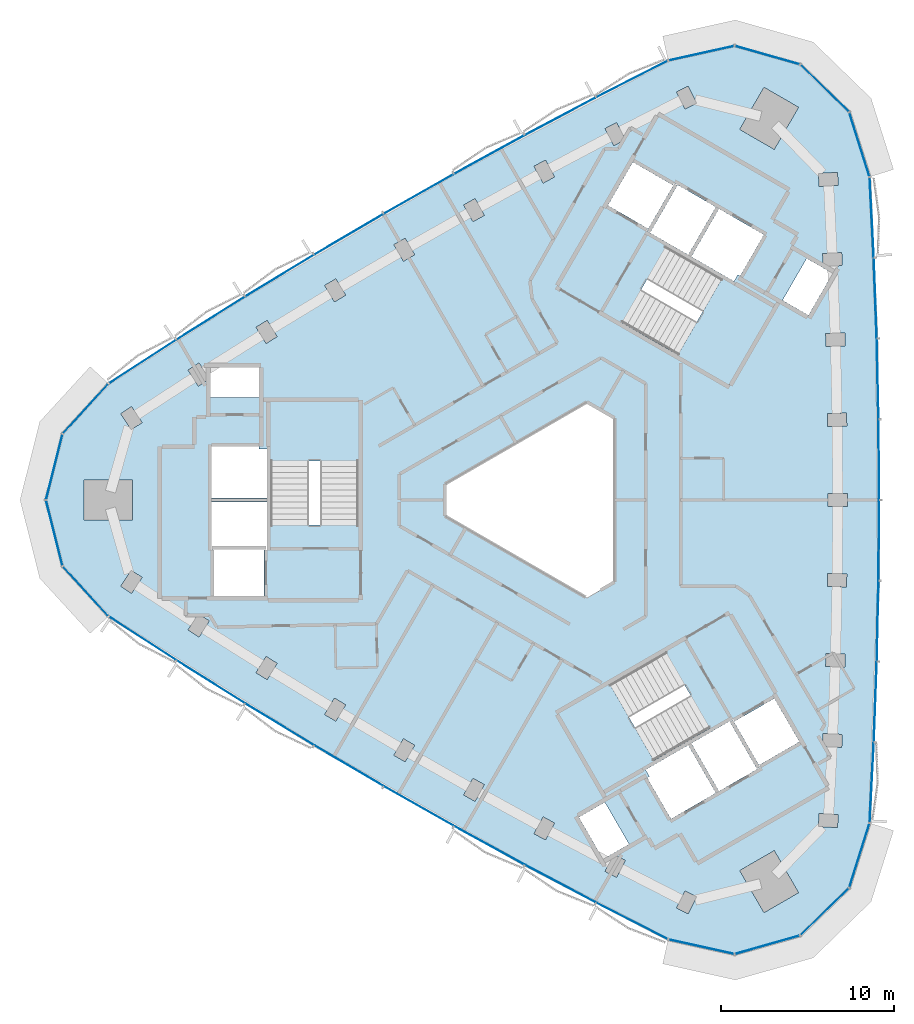
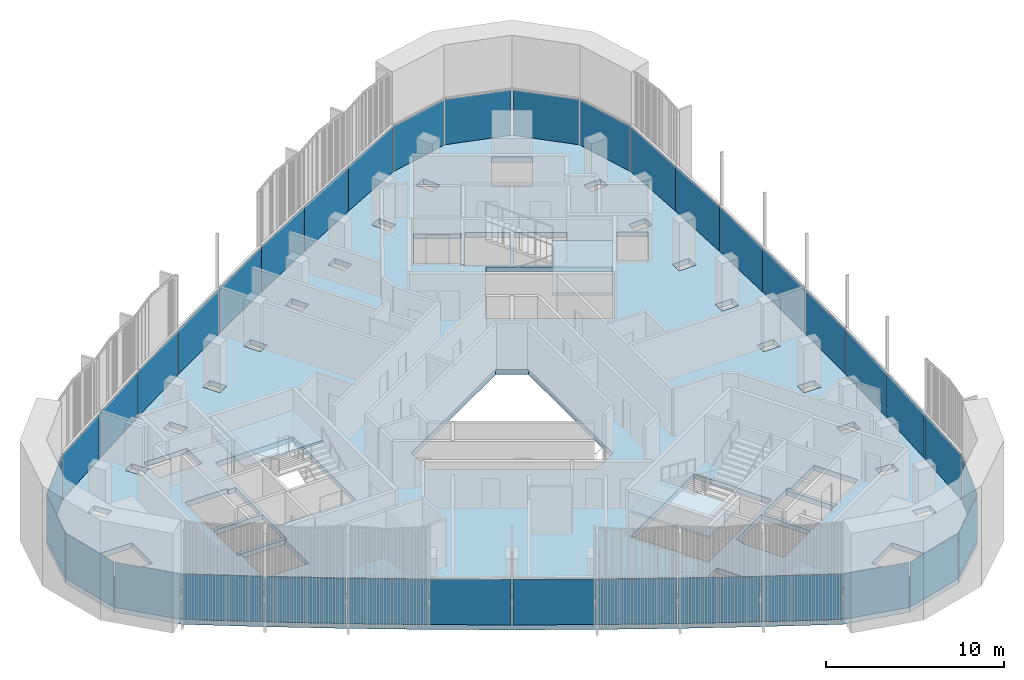
# One storey, part 7 of 16: 36 plates, 4 slabs, 6 elements without a shape of their own.
"""IFC4 building model written with IfcOpenShell, lengths in metres."""

from ifc_helpers import new_model, si_unit, direction, frame, origin, origin_2d, place, context, subcontext, project, spatial, polyline, rectangle, outline, extrude, material, layer, layer_set, type_object, element, aggregate, save


model = new_model("IFC4")

# Units and contexts
model_context = context("Model", 3, precision=1e-05, world=origin(), true_north=direction((0.0, 1.0)))
body_context = subcontext(model_context, "Body", "Model", "MODEL_VIEW")
ifc_project = project(units=[si_unit("LENGTHUNIT", "METRE"), si_unit("AREAUNIT", "SQUARE_METRE"), si_unit("VOLUMEUNIT", "CUBIC_METRE"), si_unit("PLANEANGLEUNIT", "RADIAN"), si_unit("MASSUNIT", "GRAM", prefix="KILO")], contexts=[model_context])

# Site, building, storey
site_placement = place(None, origin())
site = spatial("IfcSite", under=ifc_project, at=site_placement, CompositionType="ELEMENT")
building_placement = place(site_placement, origin())
building = spatial("IfcBuilding", under=site, at=building_placement, Name="Tamra Quay Hotel Tower", CompositionType="ELEMENT")
storey_placement = place(building_placement, frame((0.0, 0.0, 232.199951171875)))
storey = spatial("IfcBuildingStorey", under=building, at=storey_placement, Name="L58", CompositionType="ELEMENT", Elevation=232.199951171875)

# Stair, slab
ifc_material_1 = material(Name="Exit stair 2200 24 risers 150.0 going 342")
stair_type = type_object("IfcStairType", Name="Exit stair 2200 24 risers 150.0 going 342", PredefinedType="HALF_TURN_STAIR", material=ifc_material_1)
stair_1_placement = place(storey_placement, origin())
stair_1 = element("IfcStair", 1, at=stair_1_placement, inside=storey, type_object=stair_type, Name="L58 Exit stair ST3", PredefinedType="HALF_TURN_STAIR")
ifc_material_2 = material(Name="Concrete M70", Category="concrete")
ifc_layer_1 = layer(ifc_material_2, 0.175048828125)
ifc_layer_set_1 = layer_set([ifc_layer_1], Name="Concrete M70 stair landing 180")
slab_type_1 = type_object("IfcSlabType", Name="Concrete M70 stair landing 180", PredefinedType="LANDING", material=ifc_layer_set_1)
slab_1_placement = place(storey_placement, frame((0.0, 0.0, 1.625)))
slab_1 = element("IfcSlab", 2, at=slab_1_placement, type_object=slab_type_1, Name="ST3 landing 1", PredefinedType="LANDING", context=body_context, shape_type="SweptSolid", body=[
    extrude(outline(polyline([(-10.932373046875, 2.261962890625), (-10.932373046875, 5.679931640625), (-16.09130859375, 5.679931640625), (-16.09130859375, 2.261962890625), (-10.932373046875, 2.261962890625)])), origin(), (0.0, 0.0, 1.0), 0.175048828125),
])
aggregate(stair_1, [slab_1])

stair_2_placement = place(storey_placement, origin())
stair_2 = element("IfcStair", 3, at=stair_2_placement, inside=storey, type_object=stair_type, Name="L58 Exit stair ST1", PredefinedType="HALF_TURN_STAIR")
slab_2_placement = place(storey_placement, frame((0.0, 0.0, 1.625)))
slab_2 = element("IfcSlab", 4, at=slab_2_placement, type_object=slab_type_1, Name="ST1 landing 1", PredefinedType="LANDING", context=body_context, shape_type="SweptSolid", body=[
    extrude(outline(polyline([(7.425048828125, 8.336669921875), (10.385009765625, 6.627685546875), (12.964599609375, 11.095458984375), (10.00439453125, 12.804443359375), (7.425048828125, 8.336669921875)])), origin(), (0.0, 0.0, 1.0), 0.175048828125),
])
aggregate(stair_2, [slab_2])

stair_3_placement = place(storey_placement, origin())
stair_3 = element("IfcStair", 5, at=stair_3_placement, inside=storey, type_object=stair_type, Name="L58 Exit stair ST2", PredefinedType="HALF_TURN_STAIR")
slab_3_placement = place(storey_placement, frame((0.0, 0.0, 1.625)))
slab_3 = element("IfcSlab", 6, at=slab_3_placement, type_object=slab_type_1, Name="ST2 landing 1", PredefinedType="LANDING", context=body_context, shape_type="SweptSolid", body=[
    extrude(outline(polyline([(3.50732421875, -10.5986328125), (0.547119140625, -12.3076171875), (3.126708984375, -16.775390625), (6.086669921875, -15.06640625), (3.50732421875, -10.5986328125)])), origin(), (0.0, 0.0, 1.0), 0.175048828125),
])
aggregate(stair_3, [slab_3])

# Slab
ifc_material_3 = material(Name="Concrete M60", Category="concrete")
ifc_layer_2 = layer(ifc_material_3, 0.35009765625)
ifc_layer_set_2 = layer_set([ifc_layer_2], Name="FLOOR SLAB PT 350")
slab_type_2 = type_object("IfcSlabType", Name="FLOOR SLAB PT 350", PredefinedType="FLOOR", material=ifc_layer_set_2)
slab_4_placement = place(storey_placement, frame((0.0, 0.0, -0.349853515625)))
element("IfcSlab", 7, at=slab_4_placement, inside=storey, type_object=slab_type_2, Name="SLAB-L58", PredefinedType="FLOOR", context=body_context, shape_type="SweptSolid", body=[
    extrude(outline(polyline([(18.746826171875, 13.9765625), (18.918212890625, 9.31884765625), (19.020751953125, 4.66064453125), (19.05517578125, 0.0), (19.020751953125, -4.66064453125), (18.918212890625, -9.31884765625), (18.746826171875, -13.9765625), (18.50732421875, -18.63037109375), (17.323974609375, -22.38037109375), (14.503173828125, -25.1201171875), (10.719970703125, -26.193115234375), (6.880615234375, -25.343017578125), (2.730712890625, -23.223388671875), (-1.388671875, -21.04296875), (-5.47412109375, -18.802978515625), (-9.527587890625, -16.502197265625), (-13.546630859375, -14.14208984375), (-17.529296875, -11.72412109375), (-21.477294921875, -9.2470703125), (-25.387939453125, -6.712646484375), (-28.0439453125, -3.812744140625), (-29.006103515625, 0.0), (-28.0439453125, 3.812744140625), (-25.387939453125, 6.712646484375), (-21.477294921875, 9.2470703125), (-17.529296875, 11.72412109375), (-13.546630859375, 14.14208984375), (-9.527587890625, 16.502197265625), (-5.47412109375, 18.802978515625), (-1.388671875, 21.04296875), (2.730712890625, 23.223388671875), (6.880615234375, 25.343017578125), (10.719970703125, 26.193115234375), (14.503173828125, 25.1201171875), (17.323974609375, 22.38037109375), (18.50732421875, 18.63037109375), (18.746826171875, 13.9765625)]), holes=[polyline([(-8.9345703125, -14.724853515625), (-8.284912109375, -15.099853515625), (-7.73486328125, -14.147216796875), (-8.384521484375, -13.772216796875), (-8.9345703125, -14.724853515625)]), polyline([(-12.927001953125, -12.373779296875), (-12.283203125, -12.758544921875), (-11.718994140625, -11.814208984375), (-12.36279296875, -11.4296875), (-12.927001953125, -12.373779296875)]), polyline([(-16.885009765625, -9.964599609375), (-16.24658203125, -10.3583984375), (-15.669189453125, -9.422119140625), (-16.3076171875, -9.0283203125), (-16.885009765625, -9.964599609375)]), polyline([(-20.21533203125, -6.56982421875), (-20.806640625, -7.497314453125), (-20.17431640625, -7.900634765625), (-19.5830078125, -6.972900390625), (-20.21533203125, -6.56982421875)]), polyline([(-24.08740234375, -4.05419921875), (-24.69189453125, -4.972900390625), (-24.0654296875, -5.38525390625), (-23.460693359375, -4.46630859375), (-24.08740234375, -4.05419921875)]), polyline([(-19.4072265625, -2.85498046875), (-19.4072265625, -2.89306640625), (-19.307373046875, -2.89306640625), (-19.307373046875, -5.544921875), (-16.417236328125, -5.544921875), (-16.417236328125, -2.89306640625), (-16.3173828125, -2.89306640625), (-16.3173828125, -2.85498046875), (-19.4072265625, -2.85498046875)]), polyline([(-19.417236328125, -2.89306640625), (-19.417236328125, -2.64501953125), (-16.307373046875, -2.64501953125), (-16.307373046875, -2.89306640625), (-16.26708984375, -2.89306640625), (-16.26708984375, -0.10498046875), (-19.45751953125, -0.10498046875), (-19.45751953125, -2.89306640625), (-19.417236328125, -2.89306640625)]), polyline([(-24.0205078125, 1.14990234375), (-26.8203125, 1.14990234375), (-26.8203125, -1.14990234375), (-24.0205078125, -1.14990234375), (-24.0205078125, 1.14990234375)]), polyline([(-16.707275390625, 2.945068359375), (-16.707275390625, 3.09521484375), (-19.45751953125, 3.09521484375), (-19.45751953125, 0.10498046875), (-16.26708984375, 0.10498046875), (-16.26708984375, 2.945068359375), (-16.707275390625, 2.945068359375)]), polyline([(-16.036376953125, -1.455078125), (-10.9873046875, -1.455078125), (-10.9873046875, 5.625), (-16.036376953125, 5.625), (-16.036376953125, -1.455078125)]), polyline([(-23.460693359375, 4.46630859375), (-24.0654296875, 5.38525390625), (-24.69189453125, 4.972900390625), (-24.08740234375, 4.05419921875), (-23.460693359375, 4.46630859375)]), polyline([(-19.50732421875, 7.64501953125), (-19.50732421875, 5.9150390625), (-16.71728515625, 5.9150390625), (-16.71728515625, 7.64501953125), (-19.50732421875, 7.64501953125)]), polyline([(-19.5830078125, 6.972900390625), (-20.17431640625, 7.900634765625), (-20.806640625, 7.497314453125), (-20.21533203125, 6.56982421875), (-19.5830078125, 6.972900390625)]), polyline([(-15.669189453125, 9.422119140625), (-16.24658203125, 10.3583984375), (-16.885009765625, 9.964599609375), (-16.3076171875, 9.0283203125), (-15.669189453125, 9.422119140625)]), polyline([(-12.283203125, 12.758544921875), (-12.927001953125, 12.373779296875), (-12.36279296875, 11.4296875), (-11.718994140625, 11.814208984375), (-12.283203125, 12.758544921875)]), polyline([(-7.73486328125, 14.147216796875), (-8.284912109375, 15.099853515625), (-8.9345703125, 14.724853515625), (-8.384521484375, 13.772216796875), (-7.73486328125, 14.147216796875)]), polyline([(7.8623046875, -22.55078125), (7.368896484375, -23.533935546875), (8.039306640625, -23.870361328125), (8.53271484375, -22.88720703125), (7.8623046875, -22.55078125)]), polyline([(3.2451171875, -21.421875), (3.910400390625, -21.767822265625), (4.41796875, -20.7919921875), (3.752685546875, -20.44580078125), (3.2451171875, -21.421875)]), polyline([(1.73779296875, -18.300048828125), (3.1328125, -20.71630859375), (4.631103515625, -19.851318359375), (3.236083984375, -17.43505859375), (1.73779296875, -18.300048828125)]), polyline([(-0.3251953125, -18.281005859375), (-0.847412109375, -19.2490234375), (-0.187255859375, -19.60498046875), (0.334716796875, -18.636962890625), (-0.3251953125, -18.281005859375)]), polyline([(-4.90771484375, -17.016845703125), (-4.252685546875, -17.382080078125), (-3.716796875, -16.42138671875), (-4.3720703125, -16.05615234375), (-4.90771484375, -17.016845703125)]), polyline([(5.5830078125, -15.560302734375), (5.80322265625, -15.94140625), (5.673095703125, -16.0166015625), (7.04833984375, -18.398193359375), (9.6376953125, -16.903076171875), (8.042724609375, -14.14013671875), (5.5830078125, -15.560302734375)]), polyline([(12.214111328125, -15.369384765625), (11.999267578125, -15.493408203125), (10.4443359375, -12.800048828125), (10.6591796875, -12.676025390625), (10.63916015625, -12.64111328125), (8.224609375, -14.03515625), (9.819580078125, -16.798095703125), (12.234130859375, -15.404052734375), (12.214111328125, -15.369384765625)]), polyline([(6.75390625, -8.78759765625), (0.622314453125, -12.32763671875), (3.146728515625, -16.7001953125), (9.2783203125, -13.160400390625), (6.75390625, -8.78759765625)]), polyline([(-6.0, 0.923828125), (-6.0, -0.923828125), (2.199951171875, -5.657958984375), (3.800048828125, -4.734375), (3.800048828125, 4.734375), (2.199951171875, 5.657958984375), (-6.0, 0.923828125)]), polyline([(4.2333984375, 10.242919921875), (10.364990234375, 6.702880859375), (12.889404296875, 11.075439453125), (6.758056640625, 14.615478515625), (4.2333984375, 10.242919921875)]), polyline([(7.203125, 18.262451171875), (7.41796875, 18.138427734375), (5.863037109375, 15.445068359375), (5.648193359375, 15.569091796875), (5.628173828125, 15.5341796875), (8.04248046875, 14.140380859375), (9.6376953125, 16.903076171875), (7.22314453125, 18.297119140625), (7.203125, 18.262451171875)]), polyline([(-3.716796875, 16.42138671875), (-4.252685546875, 17.382080078125), (-4.90771484375, 17.016845703125), (-4.3720703125, 16.05615234375), (-3.716796875, 16.42138671875)]), polyline([(7.231201171875, 18.234619140625), (7.1982421875, 18.253662109375), (7.148193359375, 18.1669921875), (4.8515625, 19.4931640625), (3.406494140625, 16.990234375), (5.703125, 15.664306640625), (5.6533203125, 15.57763671875), (5.68603515625, 15.55859375), (7.231201171875, 18.234619140625)]), polyline([(0.334716796875, 18.636962890625), (-0.187255859375, 19.60498046875), (-0.847412109375, 19.2490234375), (-0.3251953125, 18.281005859375), (0.334716796875, 18.636962890625)]), polyline([(4.41796875, 20.7919921875), (3.910400390625, 21.767822265625), (3.2451171875, 21.421875), (3.752685546875, 20.44580078125), (4.41796875, 20.7919921875)]), polyline([(8.039306640625, 23.870361328125), (7.368896484375, 23.533935546875), (7.8623046875, 22.55078125), (8.53271484375, 22.88720703125), (8.039306640625, 23.870361328125)]), polyline([(11.014404296875, -21.377197265625), (12.414306640625, -23.802001953125), (14.406005859375, -22.652099609375), (13.006103515625, -20.227294921875), (11.014404296875, -21.377197265625)]), polyline([(15.554443359375, -18.8330078125), (16.652587890625, -18.8974609375), (16.696533203125, -18.148681640625), (15.598388671875, -18.08447265625), (15.554443359375, -18.8330078125)]), polyline([(16.896240234375, -14.2705078125), (16.92919921875, -13.52099609375), (15.830322265625, -13.472900390625), (15.79736328125, -14.22216796875), (16.896240234375, -14.2705078125)]), polyline([(10.631103515625, -12.70361328125), (12.176025390625, -15.379638671875), (12.208984375, -15.360595703125), (12.1591796875, -15.274169921875), (14.455810546875, -13.947998046875), (13.0107421875, -11.4453125), (10.714111328125, -12.771240234375), (10.6640625, -12.6845703125), (10.631103515625, -12.70361328125)]), polyline([(15.97265625, -9.6083984375), (17.072265625, -9.640380859375), (17.093994140625, -8.890625), (15.994384765625, -8.85888671875), (15.97265625, -9.6083984375)]), polyline([(17.1796875, -5.00830078125), (17.19091796875, -4.25830078125), (16.091064453125, -4.24169921875), (16.079833984375, -4.99169921875), (17.1796875, -5.00830078125)]), polyline([(16.119384765625, -0.375), (17.219482421875, -0.375), (17.219482421875, 0.375), (16.119384765625, 0.375), (16.119384765625, -0.375)]), polyline([(16.091064453125, 4.24169921875), (17.19091796875, 4.25830078125), (17.1796875, 5.00830078125), (16.079833984375, 4.99169921875), (16.091064453125, 4.24169921875)]), polyline([(17.093994140625, 8.890625), (17.072265625, 9.640380859375), (15.97265625, 9.6083984375), (15.994384765625, 8.85888671875), (17.093994140625, 8.890625)]), polyline([(14.9794921875, 10.655029296875), (16.37451171875, 13.0712890625), (14.876220703125, 13.936279296875), (13.481201171875, 11.52001953125), (14.9794921875, 10.655029296875)]), polyline([(15.830322265625, 13.472900390625), (16.92919921875, 13.52099609375), (16.896240234375, 14.2705078125), (15.79736328125, 14.22216796875), (15.830322265625, 13.472900390625)]), polyline([(10.904052734375, 12.996337890625), (11.0341796875, 12.92138671875), (12.4091796875, 15.302978515625), (9.819580078125, 16.798095703125), (8.224365234375, 14.035400390625), (10.68408203125, 12.615234375), (10.904052734375, 12.996337890625)]), polyline([(15.598388671875, 18.08447265625), (16.696533203125, 18.148681640625), (16.652587890625, 18.8974609375), (15.554443359375, 18.8330078125), (15.598388671875, 18.08447265625)]), polyline([(13.006103515625, 20.227294921875), (14.406005859375, 22.652099609375), (12.414306640625, 23.802001953125), (11.014404296875, 21.377197265625), (13.006103515625, 20.227294921875)])]), origin(), (0.0, 0.0, 1.0), 0.349853515625),
])

# Curtain wall, plates
ifc_material_4 = material(Name="Aluminium 6063 anodised dark grey", Category="aluminium")
curtain_wall_type_1 = type_object("IfcCurtainWallType", Name="CW1 CURTAIN WALL", PredefinedType="NOTDEFINED", material=ifc_material_4)
curtain_wall_1_placement = place(storey_placement, origin())
curtain_wall_1 = element("IfcCurtainWall", 8, at=curtain_wall_1_placement, inside=storey, type_object=curtain_wall_type_1, Name="CW1 east face L58", PredefinedType="NOTDEFINED")
ifc_material_5 = material(Name="Glass clear laminated low-iron", Category="glass")
ifc_layer_3 = layer(ifc_material_5, 0.028076171875)
ifc_layer_set_3 = layer_set([ifc_layer_3], Name="GLASS PANEL CW1 Z5")
plate_type_1 = type_object("IfcPlateType", Name="GLASS PANEL CW1 Z5", PredefinedType="CURTAIN_PANEL", material=ifc_layer_set_3)
plate_1_placement = place(storey_placement, frame((18.626953125, -16.303466796875, 0.0), z_axis=(0.0, 0.0, 1.0), x_axis=(0.05140283052, 0.998678000666, 0.0)))
plate_1 = element("IfcPlate", 9, at=plate_1_placement, type_object=plate_type_1, Name="CW1 glass L58.E.1", PredefinedType="CURTAIN_PANEL", context=body_context, shape_type="SweptSolid", body=[
    extrude(rectangle(XDim=4.56005859375, YDim=0.028076171875, at=origin_2d()), origin(), (0.0, 0.0, 1.0), 3.110107421875),
])
plate_2_placement = place(storey_placement, frame((18.83251953125, -11.647705078125, 0.0), z_axis=(0.0, 0.0, 1.0), x_axis=(0.036744002612, 0.999324711128, 0.0)))
plate_2 = element("IfcPlate", 10, at=plate_2_placement, type_object=plate_type_1, Name="CW1 glass L58.E.2", PredefinedType="CURTAIN_PANEL", context=body_context, shape_type="SweptSolid", body=[
    extrude(rectangle(XDim=4.560791015625, YDim=0.028076171875, at=origin_2d()), origin(), (0.0, 0.0, 1.0), 3.110107421875),
])
plate_3_placement = place(storey_placement, frame((18.969482421875, -6.98974609375, 0.0), z_axis=(0.0, 0.0, 1.0), x_axis=(0.022062714066, 0.999756588699, 0.0)))
plate_3 = element("IfcPlate", 11, at=plate_3_placement, type_object=plate_type_1, Name="CW1 glass L58.E.3", PredefinedType="CURTAIN_PANEL", context=body_context, shape_type="SweptSolid", body=[
    extrude(rectangle(XDim=4.559326171875, YDim=0.028076171875, at=origin_2d()), origin(), (0.0, 0.0, 1.0), 3.110107421875),
])
plate_4_placement = place(storey_placement, frame((19.0380859375, -2.330322265625, 0.0), z_axis=(0.0, 0.0, 1.0), x_axis=(0.007362119462, 0.999972899231, 0.0)))
plate_4 = element("IfcPlate", 12, at=plate_4_placement, type_object=plate_type_1, Name="CW1 glass L58.E.4", PredefinedType="CURTAIN_PANEL", context=body_context, shape_type="SweptSolid", body=[
    extrude(rectangle(XDim=4.560791015625, YDim=0.028076171875, at=origin_2d()), origin(), (0.0, 0.0, 1.0), 3.110107421875),
])
plate_5_placement = place(storey_placement, frame((19.0380859375, 2.330322265625, 0.0), z_axis=(0.0, 0.0, 1.0), x_axis=(-0.007362119462, 0.999972899231, 0.0)))
plate_5 = element("IfcPlate", 13, at=plate_5_placement, type_object=plate_type_1, Name="CW1 glass L58.E.5", PredefinedType="CURTAIN_PANEL", context=body_context, shape_type="SweptSolid", body=[
    extrude(rectangle(XDim=4.560791015625, YDim=0.028076171875, at=origin_2d()), origin(), (0.0, 0.0, 1.0), 3.110107421875),
])
plate_6_placement = place(storey_placement, frame((18.969482421875, 6.98974609375, 0.0), z_axis=(0.0, 0.0, 1.0), x_axis=(-0.022062714066, 0.999756588699, 0.0)))
plate_6 = element("IfcPlate", 14, at=plate_6_placement, type_object=plate_type_1, Name="CW1 glass L58.E.6", PredefinedType="CURTAIN_PANEL", context=body_context, shape_type="SweptSolid", body=[
    extrude(rectangle(XDim=4.559326171875, YDim=0.028076171875, at=origin_2d()), origin(), (0.0, 0.0, 1.0), 3.110107421875),
])
plate_7_placement = place(storey_placement, frame((18.83251953125, 11.647705078125, 0.0), z_axis=(0.0, 0.0, 1.0), x_axis=(-0.036744002612, 0.999324711128, 0.0)))
plate_7 = element("IfcPlate", 15, at=plate_7_placement, type_object=plate_type_1, Name="CW1 glass L58.E.7", PredefinedType="CURTAIN_PANEL", context=body_context, shape_type="SweptSolid", body=[
    extrude(rectangle(XDim=4.560791015625, YDim=0.028076171875, at=origin_2d()), origin(), (0.0, 0.0, 1.0), 3.110107421875),
])
plate_8_placement = place(storey_placement, frame((18.626953125, 16.303466796875, 0.0), z_axis=(0.0, 0.0, 1.0), x_axis=(-0.05140283052, 0.998678000666, 0.0)))
plate_8 = element("IfcPlate", 16, at=plate_8_placement, type_object=plate_type_1, Name="CW1 glass L58.E.8", PredefinedType="CURTAIN_PANEL", context=body_context, shape_type="SweptSolid", body=[
    extrude(rectangle(XDim=4.56005859375, YDim=0.028076171875, at=origin_2d()), origin(), (0.0, 0.0, 1.0), 3.110107421875),
])
plate_9_placement = place(storey_placement, frame((17.91552734375, 20.50537109375, 0.0), z_axis=(0.0, 0.0, 1.0), x_axis=(-0.30090299279, 0.95365475353, 0.0)))
plate_9 = element("IfcPlate", 17, at=plate_9_placement, type_object=plate_type_1, Name="CW1 glass L58.E.9", PredefinedType="CURTAIN_PANEL", context=body_context, shape_type="SweptSolid", body=[
    extrude(rectangle(XDim=3.832275390625, YDim=0.028076171875, at=origin_2d()), origin(), (0.0, 0.0, 1.0), 3.110107421875),
])
plate_10_placement = place(storey_placement, frame((15.91357421875, 23.750244140625, 0.0), z_axis=(0.0, 0.0, 1.0), x_axis=(-0.717364100925, 0.696698461821, 0.0)))
plate_10 = element("IfcPlate", 18, at=plate_10_placement, type_object=plate_type_1, Name="CW1 glass L58.E.10", PredefinedType="CURTAIN_PANEL", context=body_context, shape_type="SweptSolid", body=[
    extrude(rectangle(XDim=3.832275390625, YDim=0.028076171875, at=origin_2d()), origin(), (0.0, 0.0, 1.0), 3.110107421875),
])
plate_11_placement = place(storey_placement, frame((12.611572265625, 25.65673828125, 0.0), z_axis=(0.0, 0.0, 1.0), x_axis=(-0.962040617177, 0.272906304254, 0.0)))
plate_11 = element("IfcPlate", 19, at=plate_11_placement, type_object=plate_type_1, Name="CW1 glass L58.E.11", PredefinedType="CURTAIN_PANEL", context=body_context, shape_type="SweptSolid", body=[
    extrude(rectangle(XDim=3.832275390625, YDim=0.028076171875, at=origin_2d()), origin(), (0.0, 0.0, 1.0), 3.110107421875),
])
plate_12_placement = place(storey_placement, frame((8.80029296875, 25.76806640625, 0.0), z_axis=(0.0, 0.0, 1.0), x_axis=(-0.976340739392, -0.216237740934, 0.0)))
plate_12 = element("IfcPlate", 20, at=plate_12_placement, type_object=plate_type_1, Name="CW1 glass L58.E.12", PredefinedType="CURTAIN_PANEL", context=body_context, shape_type="SweptSolid", body=[
    extrude(rectangle(XDim=3.832275390625, YDim=0.028076171875, at=origin_2d()), origin(), (0.0, 0.0, 1.0), 3.110107421875),
])
aggregate(curtain_wall_1, [plate_1, plate_2, plate_3, plate_4, plate_5, plate_6, plate_7, plate_8, plate_9, plate_10, plate_11, plate_12])

curtain_wall_type_2 = type_object("IfcCurtainWallType", Name="CW2 CURTAIN WALL", PredefinedType="NOTDEFINED", material=ifc_material_4)
curtain_wall_2_placement = place(storey_placement, origin())
curtain_wall_2 = element("IfcCurtainWall", 21, at=curtain_wall_2_placement, inside=storey, type_object=curtain_wall_type_2, Name="CW2 north-west face L58", PredefinedType="NOTDEFINED")
ifc_layer_4 = layer(ifc_material_5, 0.028076171875)
ifc_layer_set_4 = layer_set([ifc_layer_4], Name="GLASS PANEL CW2 Z5")
plate_type_2 = type_object("IfcPlateType", Name="GLASS PANEL CW2 Z5", PredefinedType="CURTAIN_PANEL", material=ifc_layer_set_4)
plate_13_placement = place(storey_placement, frame((4.8056640625, 24.283203125, 0.0), z_axis=(0.0, 0.0, 1.0), x_axis=(-0.890581934038, -0.454822843276, 0.0)))
plate_13 = element("IfcPlate", 22, at=plate_13_placement, type_object=plate_type_2, Name="CW2 glass L58.NW.1", PredefinedType="CURTAIN_PANEL", context=body_context, shape_type="SweptSolid", body=[
    extrude(rectangle(XDim=4.56005859375, YDim=0.028076171875, at=origin_2d()), origin(), (0.0, 0.0, 1.0), 3.110107421875),
])
plate_14_placement = place(storey_placement, frame((0.6708984375, 22.13330078125, 0.0), z_axis=(0.0, 0.0, 1.0), x_axis=(-0.883812587773, -0.467841115866, 0.0)))
plate_14 = element("IfcPlate", 23, at=plate_14_placement, type_object=plate_type_2, Name="CW2 glass L58.NW.2", PredefinedType="CURTAIN_PANEL", context=body_context, shape_type="SweptSolid", body=[
    extrude(rectangle(XDim=4.560791015625, YDim=0.028076171875, at=origin_2d()), origin(), (0.0, 0.0, 1.0), 3.110107421875),
])
plate_15_placement = place(storey_placement, frame((-3.431396484375, 19.9228515625, 0.0), z_axis=(0.0, 0.0, 1.0), x_axis=(-0.876845960448, -0.480771423492, 0.0)))
plate_15 = element("IfcPlate", 24, at=plate_15_placement, type_object=plate_type_2, Name="CW2 glass L58.NW.3", PredefinedType="CURTAIN_PANEL", context=body_context, shape_type="SweptSolid", body=[
    extrude(rectangle(XDim=4.559326171875, YDim=0.028076171875, at=origin_2d()), origin(), (0.0, 0.0, 1.0), 3.110107421875),
])
plate_16_placement = place(storey_placement, frame((-7.500732421875, 17.652587890625, 0.0), z_axis=(0.0, 0.0, 1.0), x_axis=(-0.869682993561, -0.493610667136, 0.0)))
plate_16 = element("IfcPlate", 25, at=plate_16_placement, type_object=plate_type_2, Name="CW2 glass L58.NW.4", PredefinedType="CURTAIN_PANEL", context=body_context, shape_type="SweptSolid", body=[
    extrude(rectangle(XDim=4.560791015625, YDim=0.028076171875, at=origin_2d()), origin(), (0.0, 0.0, 1.0), 3.110107421875),
])
plate_17_placement = place(storey_placement, frame((-11.537109375, 15.322265625, 0.0), z_axis=(0.0, 0.0, 1.0), x_axis=(-0.862320874099, -0.506362232095, 0.0)))
plate_17 = element("IfcPlate", 26, at=plate_17_placement, type_object=plate_type_2, Name="CW2 glass L58.NW.5", PredefinedType="CURTAIN_PANEL", context=body_context, shape_type="SweptSolid", body=[
    extrude(rectangle(XDim=4.560791015625, YDim=0.028076171875, at=origin_2d()), origin(), (0.0, 0.0, 1.0), 3.110107421875),
])
plate_18_placement = place(storey_placement, frame((-15.5380859375, 12.93310546875, 0.0), z_axis=(0.0, 0.0, 1.0), x_axis=(-0.854783246382, -0.518985165207, 0.0)))
plate_18 = element("IfcPlate", 27, at=plate_18_placement, type_object=plate_type_2, Name="CW2 glass L58.NW.6", PredefinedType="CURTAIN_PANEL", context=body_context, shape_type="SweptSolid", body=[
    extrude(rectangle(XDim=4.559326171875, YDim=0.028076171875, at=origin_2d()), origin(), (0.0, 0.0, 1.0), 3.110107421875),
])
plate_19_placement = place(storey_placement, frame((-19.50341796875, 10.485595703125, 0.0), z_axis=(0.0, 0.0, 1.0), x_axis=(-0.847068585161, -0.531483595263, 0.0)))
plate_19 = element("IfcPlate", 28, at=plate_19_placement, type_object=plate_type_2, Name="CW2 glass L58.NW.7", PredefinedType="CURTAIN_PANEL", context=body_context, shape_type="SweptSolid", body=[
    extrude(rectangle(XDim=4.560791015625, YDim=0.028076171875, at=origin_2d()), origin(), (0.0, 0.0, 1.0), 3.110107421875),
])
plate_20_placement = place(storey_placement, frame((-23.4326171875, 7.979736328125, 0.0), z_axis=(0.0, 0.0, 1.0), x_axis=(-0.839179103518, -0.54385515739, 0.0)))
plate_20 = element("IfcPlate", 29, at=plate_20_placement, type_object=plate_type_2, Name="CW2 glass L58.NW.8", PredefinedType="CURTAIN_PANEL", context=body_context, shape_type="SweptSolid", body=[
    extrude(rectangle(XDim=4.56005859375, YDim=0.028076171875, at=origin_2d()), origin(), (0.0, 0.0, 1.0), 3.110107421875),
])
plate_21_placement = place(storey_placement, frame((-26.716064453125, 5.2626953125, 0.0), z_axis=(0.0, 0.0, 1.0), x_axis=(-0.675437746601, -0.737417012596, 0.0)))
plate_21 = element("IfcPlate", 30, at=plate_21_placement, type_object=plate_type_2, Name="CW2 glass L58.NW.9", PredefinedType="CURTAIN_PANEL", context=body_context, shape_type="SweptSolid", body=[
    extrude(rectangle(XDim=3.832275390625, YDim=0.028076171875, at=origin_2d()), origin(), (0.0, 0.0, 1.0), 3.110107421875),
])
plate_22_placement = place(storey_placement, frame((-28.525146484375, 1.906494140625, 0.0), z_axis=(0.0, 0.0, 1.0), x_axis=(-0.244676516252, -0.969604766075, 0.0)))
plate_22 = element("IfcPlate", 31, at=plate_22_placement, type_object=plate_type_2, Name="CW2 glass L58.NW.10", PredefinedType="CURTAIN_PANEL", context=body_context, shape_type="SweptSolid", body=[
    extrude(rectangle(XDim=3.832275390625, YDim=0.028076171875, at=origin_2d()), origin(), (0.0, 0.0, 1.0), 3.110107421875),
])
plate_23_placement = place(storey_placement, frame((-28.525146484375, -1.906494140625, 0.0), z_axis=(0.0, 0.0, 1.0), x_axis=(0.244676516252, -0.969604766075, 0.0)))
plate_23 = element("IfcPlate", 32, at=plate_23_placement, type_object=plate_type_2, Name="CW2 glass L58.NW.11", PredefinedType="CURTAIN_PANEL", context=body_context, shape_type="SweptSolid", body=[
    extrude(rectangle(XDim=3.832275390625, YDim=0.028076171875, at=origin_2d()), origin(), (0.0, 0.0, 1.0), 3.110107421875),
])
plate_24_placement = place(storey_placement, frame((-26.716064453125, -5.2626953125, 0.0), z_axis=(0.0, 0.0, 1.0), x_axis=(0.675437746601, -0.737417012596, 0.0)))
plate_24 = element("IfcPlate", 33, at=plate_24_placement, type_object=plate_type_2, Name="CW2 glass L58.NW.12", PredefinedType="CURTAIN_PANEL", context=body_context, shape_type="SweptSolid", body=[
    extrude(rectangle(XDim=3.832275390625, YDim=0.028076171875, at=origin_2d()), origin(), (0.0, 0.0, 1.0), 3.110107421875),
])
aggregate(curtain_wall_2, [plate_13, plate_14, plate_15, plate_16, plate_17, plate_18, plate_19, plate_20, plate_21, plate_22, plate_23, plate_24])

curtain_wall_type_3 = type_object("IfcCurtainWallType", Name="CW3 CURTAIN WALL", PredefinedType="NOTDEFINED", material=ifc_material_4)
curtain_wall_3_placement = place(storey_placement, origin())
curtain_wall_3 = element("IfcCurtainWall", 34, at=curtain_wall_3_placement, inside=storey, type_object=curtain_wall_type_3, Name="CW3 south-west face L58", PredefinedType="NOTDEFINED")
ifc_layer_5 = layer(ifc_material_5, 0.028076171875)
ifc_layer_set_5 = layer_set([ifc_layer_5], Name="GLASS PANEL CW3 Z5")
plate_type_3 = type_object("IfcPlateType", Name="GLASS PANEL CW3 Z5", PredefinedType="CURTAIN_PANEL", material=ifc_layer_set_5)
plate_25_placement = place(storey_placement, frame((-23.4326171875, -7.979736328125, 0.0), z_axis=(0.0, 0.0, 1.0), x_axis=(0.839179103518, -0.54385515739, 0.0)))
plate_25 = element("IfcPlate", 35, at=plate_25_placement, type_object=plate_type_3, Name="CW3 glass L58.SW.1", PredefinedType="CURTAIN_PANEL", context=body_context, shape_type="SweptSolid", body=[
    extrude(rectangle(XDim=4.56005859375, YDim=0.028076171875, at=origin_2d()), origin(), (0.0, 0.0, 1.0), 3.110107421875),
])
plate_26_placement = place(storey_placement, frame((-19.50341796875, -10.485595703125, 0.0), z_axis=(0.0, 0.0, 1.0), x_axis=(0.847068585161, -0.531483595263, 0.0)))
plate_26 = element("IfcPlate", 36, at=plate_26_placement, type_object=plate_type_3, Name="CW3 glass L58.SW.2", PredefinedType="CURTAIN_PANEL", context=body_context, shape_type="SweptSolid", body=[
    extrude(rectangle(XDim=4.560791015625, YDim=0.028076171875, at=origin_2d()), origin(), (0.0, 0.0, 1.0), 3.110107421875),
])
plate_27_placement = place(storey_placement, frame((-15.5380859375, -12.93310546875, 0.0), z_axis=(0.0, 0.0, 1.0), x_axis=(0.854783246382, -0.518985165207, 0.0)))
plate_27 = element("IfcPlate", 37, at=plate_27_placement, type_object=plate_type_3, Name="CW3 glass L58.SW.3", PredefinedType="CURTAIN_PANEL", context=body_context, shape_type="SweptSolid", body=[
    extrude(rectangle(XDim=4.559326171875, YDim=0.028076171875, at=origin_2d()), origin(), (0.0, 0.0, 1.0), 3.110107421875),
])
plate_28_placement = place(storey_placement, frame((-11.537109375, -15.322265625, 0.0), z_axis=(0.0, 0.0, 1.0), x_axis=(0.862320874099, -0.506362232095, 0.0)))
plate_28 = element("IfcPlate", 38, at=plate_28_placement, type_object=plate_type_3, Name="CW3 glass L58.SW.4", PredefinedType="CURTAIN_PANEL", context=body_context, shape_type="SweptSolid", body=[
    extrude(rectangle(XDim=4.560791015625, YDim=0.028076171875, at=origin_2d()), origin(), (0.0, 0.0, 1.0), 3.110107421875),
])
plate_29_placement = place(storey_placement, frame((-7.500732421875, -17.652587890625, 0.0), z_axis=(0.0, 0.0, 1.0), x_axis=(0.869682993561, -0.493610667136, 0.0)))
plate_29 = element("IfcPlate", 39, at=plate_29_placement, type_object=plate_type_3, Name="CW3 glass L58.SW.5", PredefinedType="CURTAIN_PANEL", context=body_context, shape_type="SweptSolid", body=[
    extrude(rectangle(XDim=4.560791015625, YDim=0.028076171875, at=origin_2d()), origin(), (0.0, 0.0, 1.0), 3.110107421875),
])
plate_30_placement = place(storey_placement, frame((-3.431396484375, -19.9228515625, 0.0), z_axis=(0.0, 0.0, 1.0), x_axis=(0.876845960448, -0.480771423492, 0.0)))
plate_30 = element("IfcPlate", 40, at=plate_30_placement, type_object=plate_type_3, Name="CW3 glass L58.SW.6", PredefinedType="CURTAIN_PANEL", context=body_context, shape_type="SweptSolid", body=[
    extrude(rectangle(XDim=4.559326171875, YDim=0.028076171875, at=origin_2d()), origin(), (0.0, 0.0, 1.0), 3.110107421875),
])
plate_31_placement = place(storey_placement, frame((0.6708984375, -22.13330078125, 0.0), z_axis=(0.0, 0.0, 1.0), x_axis=(0.883812587773, -0.467841115866, 0.0)))
plate_31 = element("IfcPlate", 41, at=plate_31_placement, type_object=plate_type_3, Name="CW3 glass L58.SW.7", PredefinedType="CURTAIN_PANEL", context=body_context, shape_type="SweptSolid", body=[
    extrude(rectangle(XDim=4.560791015625, YDim=0.028076171875, at=origin_2d()), origin(), (0.0, 0.0, 1.0), 3.110107421875),
])
plate_32_placement = place(storey_placement, frame((4.8056640625, -24.283203125, 0.0), z_axis=(0.0, 0.0, 1.0), x_axis=(0.890581934038, -0.454822843276, 0.0)))
plate_32 = element("IfcPlate", 42, at=plate_32_placement, type_object=plate_type_3, Name="CW3 glass L58.SW.8", PredefinedType="CURTAIN_PANEL", context=body_context, shape_type="SweptSolid", body=[
    extrude(rectangle(XDim=4.56005859375, YDim=0.028076171875, at=origin_2d()), origin(), (0.0, 0.0, 1.0), 3.110107421875),
])
plate_33_placement = place(storey_placement, frame((8.80029296875, -25.76806640625, 0.0), z_axis=(0.0, 0.0, 1.0), x_axis=(0.976340739392, -0.216237740934, 0.0)))
plate_33 = element("IfcPlate", 43, at=plate_33_placement, type_object=plate_type_3, Name="CW3 glass L58.SW.9", PredefinedType="CURTAIN_PANEL", context=body_context, shape_type="SweptSolid", body=[
    extrude(rectangle(XDim=3.832275390625, YDim=0.028076171875, at=origin_2d()), origin(), (0.0, 0.0, 1.0), 3.110107421875),
])
plate_34_placement = place(storey_placement, frame((12.611572265625, -25.65673828125, 0.0), z_axis=(0.0, 0.0, 1.0), x_axis=(0.962040617177, 0.272906304254, 0.0)))
plate_34 = element("IfcPlate", 44, at=plate_34_placement, type_object=plate_type_3, Name="CW3 glass L58.SW.10", PredefinedType="CURTAIN_PANEL", context=body_context, shape_type="SweptSolid", body=[
    extrude(rectangle(XDim=3.832275390625, YDim=0.028076171875, at=origin_2d()), origin(), (0.0, 0.0, 1.0), 3.110107421875),
])
plate_35_placement = place(storey_placement, frame((15.91357421875, -23.750244140625, 0.0), z_axis=(0.0, 0.0, 1.0), x_axis=(0.717364100925, 0.696698461821, 0.0)))
plate_35 = element("IfcPlate", 45, at=plate_35_placement, type_object=plate_type_3, Name="CW3 glass L58.SW.11", PredefinedType="CURTAIN_PANEL", context=body_context, shape_type="SweptSolid", body=[
    extrude(rectangle(XDim=3.832275390625, YDim=0.028076171875, at=origin_2d()), origin(), (0.0, 0.0, 1.0), 3.110107421875),
])
plate_36_placement = place(storey_placement, frame((17.91552734375, -20.50537109375, 0.0), z_axis=(0.0, 0.0, 1.0), x_axis=(0.30090299279, 0.95365475353, 0.0)))
plate_36 = element("IfcPlate", 46, at=plate_36_placement, type_object=plate_type_3, Name="CW3 glass L58.SW.12", PredefinedType="CURTAIN_PANEL", context=body_context, shape_type="SweptSolid", body=[
    extrude(rectangle(XDim=3.832275390625, YDim=0.028076171875, at=origin_2d()), origin(), (0.0, 0.0, 1.0), 3.110107421875),
])
aggregate(curtain_wall_3, [plate_25, plate_26, plate_27, plate_28, plate_29, plate_30, plate_31, plate_32, plate_33, plate_34, plate_35, plate_36])

save(model, "model.ifc")
